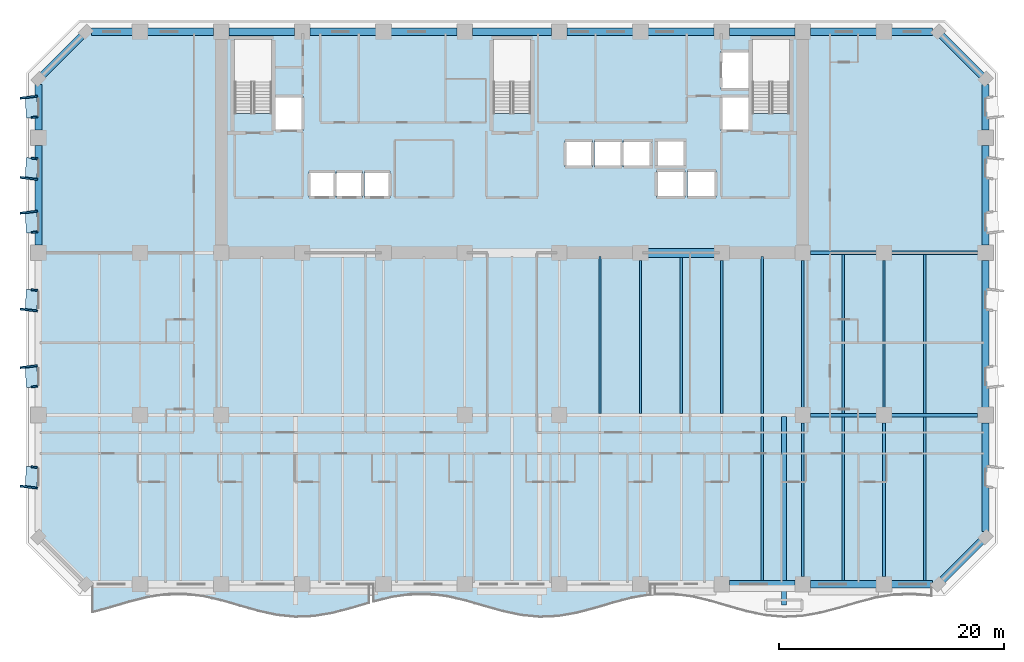
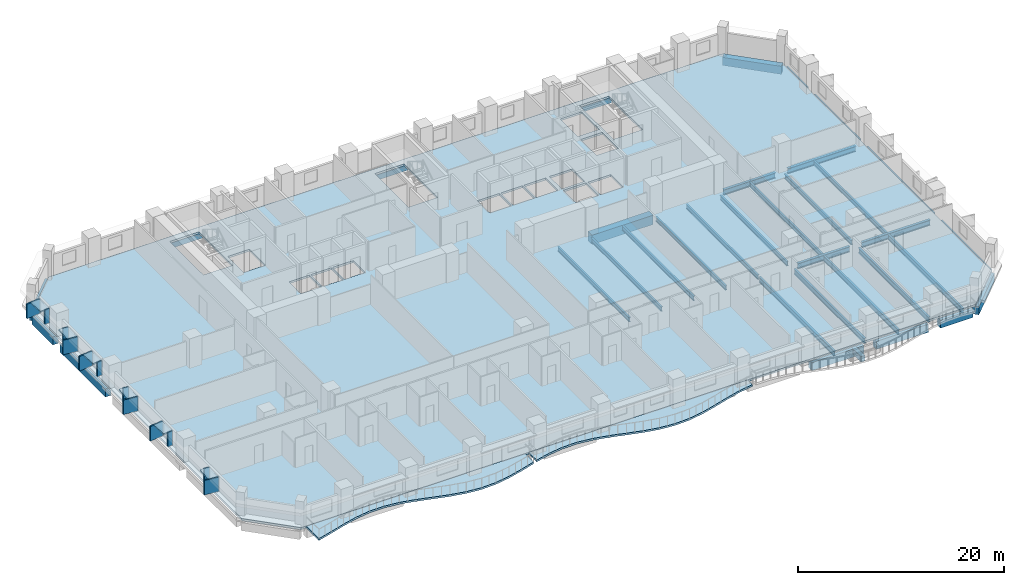
# One storey, part 2 of 15: 43 beams, 18 plates, 3 slabs.
"""IFC4 building model written with IfcOpenShell, lengths in metres."""

from ifc_helpers import new_model, si_unit, direction, frame, origin, origin_2d, place, context, subcontext, project, spatial, polyline, rectangle, i_section, outline, extrude, material, layer, layer_set, material_profile, profile_set, type_object, element, save


model = new_model("IFC4")

# Units and contexts
model_context = context("Model", 3, precision=1e-05, world=origin(), true_north=direction((0.0, 1.0)))
body_context = subcontext(model_context, "Body", "Model", "MODEL_VIEW")
ifc_project = project(units=[si_unit("LENGTHUNIT", "METRE"), si_unit("AREAUNIT", "SQUARE_METRE"), si_unit("VOLUMEUNIT", "CUBIC_METRE"), si_unit("PLANEANGLEUNIT", "RADIAN"), si_unit("MASSUNIT", "GRAM", prefix="KILO")], contexts=[model_context])

# Site, building, storey
site_placement = place(None, origin())
site = spatial("IfcSite", under=ifc_project, at=site_placement, CompositionType="ELEMENT")
building_placement = place(site_placement, origin())
building = spatial("IfcBuilding", under=site, at=building_placement, Name="Kaelvorn Grand Hotel", CompositionType="ELEMENT")
storey_placement = place(building_placement, frame((0.0, 0.0, 57.64990234375)))
storey = spatial("IfcBuildingStorey", under=building, at=storey_placement, Name="L12", CompositionType="ELEMENT", Elevation=57.64990234375)

# Beams
ifc_material_1 = material(Name="Steel S355", Category="steel")
ifc_material_profile_1 = material_profile(ifc_material_1, i_section(OverallWidth=0.300048828125, OverallDepth=0.64990234375, WebThickness=0.01611328125, FlangeThickness=0.031005859375, FilletRadius=0.027099609375, at=origin_2d()), Name="HEB 650")
ifc_profile_set_1 = profile_set([ifc_material_profile_1], Name="Steel S355")
beam_type_1 = type_object("IfcBeamType", Name="BM-G-HEB650-S355", PredefinedType="BEAM", material=ifc_profile_set_1)
beam_1_placement = place(storey_placement, frame((68.485107421875, 15.0, -0.56494140625), z_axis=(1.0, 0.0, 0.0), x_axis=(0.0, 1.0, 0.0)))
element("IfcBeam", 1, at=beam_1_placement, inside=storey, type_object=beam_type_1, Name="L12 Primary Spine Steel Girder G-15 06", PredefinedType="BEAM", context=body_context, shape_type="SweptSolid", body=[
    extrude(i_section(OverallWidth=0.300048828125, OverallDepth=0.64990234375, WebThickness=0.01611328125, FlangeThickness=0.031005859375, FilletRadius=0.027099609375, at=origin_2d()), origin(), (0.0, 0.0, 1.0), 5.829833984375),
])
beam_2_placement = place(storey_placement, frame((75.68505859375, 15.0, -0.56494140625), z_axis=(1.0, 0.0, 0.0), x_axis=(0.0, 1.0, 0.0)))
element("IfcBeam", 2, at=beam_2_placement, inside=storey, type_object=beam_type_1, Name="L12 Primary Spine Steel Girder G-15 07", PredefinedType="BEAM", context=body_context, shape_type="SweptSolid", body=[
    extrude(i_section(OverallWidth=0.300048828125, OverallDepth=0.64990234375, WebThickness=0.01611328125, FlangeThickness=0.031005859375, FilletRadius=0.027099609375, at=origin_2d()), origin(), (0.0, 0.0, 1.0), 7.6298828125),
])
beam_3_placement = place(storey_placement, frame((68.485107421875, 29.39990234375, -0.56494140625), z_axis=(1.0, 0.0, 0.0), x_axis=(0.0, 1.0, 0.0)))
element("IfcBeam", 3, at=beam_3_placement, inside=storey, type_object=beam_type_1, Name="L12 East Core Wing Steel Girder G-29E 01", PredefinedType="BEAM", context=body_context, shape_type="SweptSolid", body=[
    extrude(i_section(OverallWidth=0.300048828125, OverallDepth=0.64990234375, WebThickness=0.01611328125, FlangeThickness=0.031005859375, FilletRadius=0.027099609375, at=origin_2d()), origin(), (0.0, 0.0, 1.0), 5.829833984375),
])
beam_4_placement = place(storey_placement, frame((75.68505859375, 29.39990234375, -0.56494140625), z_axis=(1.0, 0.0, 0.0), x_axis=(0.0, 1.0, 0.0)))
element("IfcBeam", 4, at=beam_4_placement, inside=storey, type_object=beam_type_1, Name="L12 East Core Wing Steel Girder G-29E 02", PredefinedType="BEAM", context=body_context, shape_type="SweptSolid", body=[
    extrude(i_section(OverallWidth=0.300048828125, OverallDepth=0.64990234375, WebThickness=0.01611328125, FlangeThickness=0.031005859375, FilletRadius=0.027099609375, at=origin_2d()), origin(), (0.0, 0.0, 1.0), 7.6298828125),
])
ifc_material_profile_2 = material_profile(ifc_material_1, i_section(OverallWidth=0.209228515625, OverallDepth=0.533203125, WebThickness=0.010009765625, FlangeThickness=0.015625, FilletRadius=0.0126953125, at=origin_2d()), Name="UB 533x210x92")
ifc_profile_set_2 = profile_set([ifc_material_profile_2], Name="Steel S355")
beam_type_2 = type_object("IfcBeamType", Name="BM-J-UB533-S355", PredefinedType="JOIST", material=ifc_profile_set_2)
beam_5_placement = place(storey_placement, frame((49.800048828125, 15.135009765625, -0.50634765625), z_axis=(0.0, 1.0, 0.0), x_axis=(-1.0, 0.0, 0.0)))
element("IfcBeam", 5, at=beam_5_placement, inside=storey, type_object=beam_type_2, Name="L12 Composite Floor Joist JM-14", PredefinedType="JOIST", context=body_context, shape_type="SweptSolid", body=[
    extrude(i_section(OverallWidth=0.209228515625, OverallDepth=0.533203125, WebThickness=0.010009765625, FlangeThickness=0.015625, FilletRadius=0.0126953125, at=origin_2d()), origin(), (0.0, 0.0, 1.0), 13.925048828125),
])
beam_6_placement = place(storey_placement, frame((53.39990234375, 15.135009765625, -0.50634765625), z_axis=(0.0, 1.0, 0.0), x_axis=(-1.0, 0.0, 0.0)))
element("IfcBeam", 6, at=beam_6_placement, inside=storey, type_object=beam_type_2, Name="L12 Composite Floor Joist JM-15", PredefinedType="JOIST", context=body_context, shape_type="SweptSolid", body=[
    extrude(i_section(OverallWidth=0.209228515625, OverallDepth=0.533203125, WebThickness=0.010009765625, FlangeThickness=0.015625, FilletRadius=0.0126953125, at=origin_2d()), origin(), (0.0, 0.0, 1.0), 13.580078125),
])
beam_7_placement = place(storey_placement, frame((57.0, 15.135009765625, -0.50634765625), z_axis=(0.0, 1.0, 0.0), x_axis=(-1.0, 0.0, 0.0)))
element("IfcBeam", 7, at=beam_7_placement, inside=storey, type_object=beam_type_2, Name="L12 Composite Floor Joist JM-16", PredefinedType="JOIST", context=body_context, shape_type="SweptSolid", body=[
    extrude(i_section(OverallWidth=0.209228515625, OverallDepth=0.533203125, WebThickness=0.010009765625, FlangeThickness=0.015625, FilletRadius=0.0126953125, at=origin_2d()), origin(), (0.0, 0.0, 1.0), 13.925048828125),
])
beam_8_placement = place(storey_placement, frame((60.60009765625, 15.135009765625, -0.50634765625), z_axis=(0.0, 1.0, 0.0), x_axis=(-1.0, 0.0, 0.0)))
element("IfcBeam", 8, at=beam_8_placement, inside=storey, type_object=beam_type_2, Name="L12 Composite Floor Joist JM-17", PredefinedType="JOIST", context=body_context, shape_type="SweptSolid", body=[
    extrude(i_section(OverallWidth=0.209228515625, OverallDepth=0.533203125, WebThickness=0.010009765625, FlangeThickness=0.015625, FilletRadius=0.0126953125, at=origin_2d()), origin(), (0.0, 0.0, 1.0), 13.580078125),
])
beam_9_placement = place(storey_placement, frame((64.199951171875, 15.135009765625, -0.50634765625), z_axis=(0.0, 1.0, 0.0), x_axis=(-1.0, 0.0, 0.0)))
element("IfcBeam", 9, at=beam_9_placement, inside=storey, type_object=beam_type_2, Name="L12 Composite Floor Joist JM-18", PredefinedType="JOIST", context=body_context, shape_type="SweptSolid", body=[
    extrude(i_section(OverallWidth=0.209228515625, OverallDepth=0.533203125, WebThickness=0.010009765625, FlangeThickness=0.015625, FilletRadius=0.0126953125, at=origin_2d()), origin(), (0.0, 0.0, 1.0), 13.925048828125),
])
beam_10_placement = place(storey_placement, frame((67.800048828125, 15.68505859375, -0.50634765625), z_axis=(0.0, 1.0, 0.0), x_axis=(-1.0, 0.0, 0.0)))
element("IfcBeam", 10, at=beam_10_placement, inside=storey, type_object=beam_type_2, Name="L12 Composite Floor Joist JM-19", PredefinedType="JOIST", context=body_context, shape_type="SweptSolid", body=[
    extrude(i_section(OverallWidth=0.209228515625, OverallDepth=0.533203125, WebThickness=0.010009765625, FlangeThickness=0.015625, FilletRadius=0.0126953125, at=origin_2d()), origin(), (0.0, 0.0, 1.0), 13.030029296875),
])
beam_11_placement = place(storey_placement, frame((71.39990234375, 15.135009765625, -0.50634765625), z_axis=(0.0, 1.0, 0.0), x_axis=(-1.0, 0.0, 0.0)))
element("IfcBeam", 11, at=beam_11_placement, inside=storey, type_object=beam_type_2, Name="L12 Composite Floor Joist JM-20", PredefinedType="JOIST", context=body_context, shape_type="SweptSolid", body=[
    extrude(i_section(OverallWidth=0.209228515625, OverallDepth=0.533203125, WebThickness=0.010009765625, FlangeThickness=0.015625, FilletRadius=0.0126953125, at=origin_2d()), origin(), (0.0, 0.0, 1.0), 14.1298828125),
])
beam_12_placement = place(storey_placement, frame((75.0, 15.68505859375, -0.50634765625), z_axis=(0.0, 1.0, 0.0), x_axis=(-1.0, 0.0, 0.0)))
element("IfcBeam", 12, at=beam_12_placement, inside=storey, type_object=beam_type_2, Name="L12 Composite Floor Joist JM-21", PredefinedType="JOIST", context=body_context, shape_type="SweptSolid", body=[
    extrude(i_section(OverallWidth=0.209228515625, OverallDepth=0.533203125, WebThickness=0.010009765625, FlangeThickness=0.015625, FilletRadius=0.0126953125, at=origin_2d()), origin(), (0.0, 0.0, 1.0), 13.030029296875),
])
beam_13_placement = place(storey_placement, frame((78.60009765625, 15.135009765625, -0.50634765625), z_axis=(0.0, 1.0, 0.0), x_axis=(-1.0, 0.0, 0.0)))
element("IfcBeam", 13, at=beam_13_placement, inside=storey, type_object=beam_type_2, Name="L12 Composite Floor Joist JM-22", PredefinedType="JOIST", context=body_context, shape_type="SweptSolid", body=[
    extrude(i_section(OverallWidth=0.209228515625, OverallDepth=0.533203125, WebThickness=0.010009765625, FlangeThickness=0.015625, FilletRadius=0.0126953125, at=origin_2d()), origin(), (0.0, 0.0, 1.0), 14.1298828125),
])
ifc_material_profile_3 = material_profile(ifc_material_1, i_section(OverallWidth=0.22900390625, OverallDepth=0.6123046875, WebThickness=0.011962890625, FlangeThickness=0.01953125, FilletRadius=0.0126953125, at=origin_2d()), Name="UB 610x229x125")
ifc_profile_set_3 = profile_set([ifc_material_profile_3], Name="Steel S355")
beam_type_3 = type_object("IfcBeamType", Name="BM-J-UB610-S355", PredefinedType="JOIST", material=ifc_profile_set_3)
beam_14_placement = place(storey_placement, frame((64.199951171875, 0.31005859375, -0.5458984375), z_axis=(0.0, 1.0, 0.0), x_axis=(-1.0, 0.0, 0.0)))
element("IfcBeam", 14, at=beam_14_placement, inside=storey, type_object=beam_type_3, Name="L12 Composite Floor Joist JS-18", PredefinedType="JOIST", context=body_context, shape_type="SweptSolid", body=[
    extrude(i_section(OverallWidth=0.22900390625, OverallDepth=0.6123046875, WebThickness=0.011962890625, FlangeThickness=0.01953125, FilletRadius=0.0126953125, at=origin_2d()), origin(), (0.0, 0.0, 1.0), 14.554931640625),
])
beam_15_placement = place(storey_placement, frame((67.800048828125, 0.68505859375, -0.5458984375), z_axis=(0.0, 1.0, 0.0), x_axis=(-1.0, 0.0, 0.0)))
element("IfcBeam", 15, at=beam_15_placement, inside=storey, type_object=beam_type_3, Name="L12 Composite Floor Joist JS-19", PredefinedType="JOIST", context=body_context, shape_type="SweptSolid", body=[
    extrude(i_section(OverallWidth=0.22900390625, OverallDepth=0.6123046875, WebThickness=0.011962890625, FlangeThickness=0.01953125, FilletRadius=0.0126953125, at=origin_2d()), origin(), (0.0, 0.0, 1.0), 13.6298828125),
])
beam_16_placement = place(storey_placement, frame((71.39990234375, 0.31005859375, -0.5458984375), z_axis=(0.0, 1.0, 0.0), x_axis=(-1.0, 0.0, 0.0)))
element("IfcBeam", 16, at=beam_16_placement, inside=storey, type_object=beam_type_3, Name="L12 Composite Floor Joist JS-20", PredefinedType="JOIST", context=body_context, shape_type="SweptSolid", body=[
    extrude(i_section(OverallWidth=0.22900390625, OverallDepth=0.6123046875, WebThickness=0.011962890625, FlangeThickness=0.01953125, FilletRadius=0.0126953125, at=origin_2d()), origin(), (0.0, 0.0, 1.0), 14.554931640625),
])
beam_17_placement = place(storey_placement, frame((75.0, 0.68505859375, -0.5458984375), z_axis=(0.0, 1.0, 0.0), x_axis=(-1.0, 0.0, 0.0)))
element("IfcBeam", 17, at=beam_17_placement, inside=storey, type_object=beam_type_3, Name="L12 Composite Floor Joist JS-21", PredefinedType="JOIST", context=body_context, shape_type="SweptSolid", body=[
    extrude(i_section(OverallWidth=0.22900390625, OverallDepth=0.6123046875, WebThickness=0.011962890625, FlangeThickness=0.01953125, FilletRadius=0.0126953125, at=origin_2d()), origin(), (0.0, 0.0, 1.0), 13.6298828125),
])
beam_18_placement = place(storey_placement, frame((78.60009765625, 0.31005859375, -0.5458984375), z_axis=(0.0, 1.0, 0.0), x_axis=(-1.0, 0.0, 0.0)))
element("IfcBeam", 18, at=beam_18_placement, inside=storey, type_object=beam_type_3, Name="L12 Composite Floor Joist JS-22", PredefinedType="JOIST", context=body_context, shape_type="SweptSolid", body=[
    extrude(i_section(OverallWidth=0.22900390625, OverallDepth=0.6123046875, WebThickness=0.011962890625, FlangeThickness=0.01953125, FilletRadius=0.0126953125, at=origin_2d()), origin(), (0.0, 0.0, 1.0), 14.554931640625),
])
ifc_material_2 = material(Name="Concrete C60/75", Category="concrete")
ifc_material_profile_4 = material_profile(ifc_material_2, rectangle(XDim=0.800048828125, YDim=1.10009765625, at=origin_2d()), Name="RC LINTEL 800x1100")
ifc_profile_set_4 = profile_set([ifc_material_profile_4], Name="Concrete C60/75")
beam_type_4 = type_object("IfcBeamType", Name="BM-LIN-800x1100-C60", PredefinedType="LINTEL", material=ifc_profile_set_4)
beam_19_placement = place(storey_placement, frame((53.580078125, 29.39990234375, -0.789794921875), z_axis=(1.0, 0.0, 0.0), x_axis=(0.0, 1.0, 0.0)))
element("IfcBeam", 19, at=beam_19_placement, inside=storey, type_object=beam_type_4, Name="L12 Rear-Core Coupling Lintel Beam CB1-03", PredefinedType="LINTEL", context=body_context, shape_type="SweptSolid", body=[
    extrude(rectangle(XDim=0.800048828125, YDim=1.10009765625, at=origin_2d()), origin(), (0.0, 0.0, 1.0), 6.83984375),
])
ifc_material_3 = material(Name="Concrete C40/50", Category="concrete")
ifc_material_profile_5 = material_profile(ifc_material_3, rectangle(XDim=0.449951171875, YDim=0.64990234375, at=origin_2d()), Name="RC RIB 450x650")
ifc_profile_set_5 = profile_set([ifc_material_profile_5], Name="Concrete C40/50")
beam_type_5 = type_object("IfcBeamType", Name="BM-RIB-450x650-C40", PredefinedType="SPANDREL", material=ifc_profile_set_5)
beam_20_placement = place(storey_placement, frame((66.115478515625, -1.85009765625, -0.544921875), z_axis=(0.0, 1.0, 0.0), x_axis=(-1.0, 0.0, 0.0)))
element("IfcBeam", 20, at=beam_20_placement, inside=storey, type_object=beam_type_5, Name="L12 Cantilevered Balcony Back-Span Rib RB1-3", PredefinedType="SPANDREL", context=body_context, shape_type="SweptSolid", body=[
    extrude(rectangle(XDim=0.449951171875, YDim=0.64990234375, at=origin_2d()), origin(), (0.0, 0.0, 1.0), 16.715087890625),
])
ifc_material_profile_6 = material_profile(ifc_material_2, rectangle(XDim=0.64990234375, YDim=0.949951171875, at=origin_2d()), Name="RC SPANDREL 650x950")
ifc_profile_set_6 = profile_set([ifc_material_profile_6], Name="Concrete C60/75")
beam_type_6 = type_object("IfcBeamType", Name="BM-SP-650x950-C60", PredefinedType="SPANDREL", material=ifc_profile_set_6)
beam_21_placement = place(storey_placement, frame((61.284912109375, 0.0, -0.71484375), z_axis=(1.0, 0.0, 0.0), x_axis=(0.0, 1.0, 0.0)))
element("IfcBeam", 21, at=beam_21_placement, inside=storey, type_object=beam_type_6, Name="L12 South Perimeter Spandrel 09", PredefinedType="SPANDREL", context=body_context, shape_type="SweptSolid", body=[
    extrude(rectangle(XDim=0.64990234375, YDim=0.949951171875, at=origin_2d()), origin(), (0.0, 0.0, 1.0), 5.830078125),
])
beam_22_placement = place(storey_placement, frame((68.485107421875, 0.0, -0.71484375), z_axis=(1.0, 0.0, 0.0), x_axis=(0.0, 1.0, 0.0)))
element("IfcBeam", 22, at=beam_22_placement, inside=storey, type_object=beam_type_6, Name="L12 South Perimeter Spandrel 10", PredefinedType="SPANDREL", context=body_context, shape_type="SweptSolid", body=[
    extrude(rectangle(XDim=0.64990234375, YDim=0.949951171875, at=origin_2d()), origin(), (0.0, 0.0, 1.0), 5.829833984375),
])
for number, where, z_axis, x_axis, name in (
    (23, (75.68505859375, 0.0, -0.71484375), (1.0, 0.0, 0.0), (0.0, 1.0, 0.0), "L12 South Perimeter Spandrel 11"),
    (24, (4.68505859375, 49.0, -0.71484375), (1.0, 0.0, 0.0), (0.0, 1.0, 0.0), "L12 North Perimeter Spandrel 01"),
):
    element("IfcBeam", number, at=place(storey_placement, frame(where, z_axis=z_axis, x_axis=x_axis)), inside=storey, type_object=beam_type_6, Name=name, PredefinedType="SPANDREL", context=body_context, shape_type="SweptSolid", body=[
        extrude(rectangle(XDim=0.64990234375, YDim=0.949951171875, at=origin_2d()), origin(), (0.0, 0.0, 1.0), 3.6298828125),
    ])
beam_23_placement = place(storey_placement, frame((9.68505859375, 49.0, -0.71484375), z_axis=(1.0, 0.0, 0.0), x_axis=(0.0, 1.0, 0.0)))
element("IfcBeam", 25, at=beam_23_placement, inside=storey, type_object=beam_type_6, Name="L12 North Perimeter Spandrel 02", PredefinedType="SPANDREL", context=body_context, shape_type="SweptSolid", body=[
    extrude(rectangle(XDim=0.64990234375, YDim=0.949951171875, at=origin_2d()), origin(), (0.0, 0.0, 1.0), 5.829833984375),
])
for number, where, z_axis, x_axis, name in (
    (26, (16.885009765625, 49.0, -0.71484375), (1.0, 0.0, 0.0), (0.0, 1.0, 0.0), "L12 North Perimeter Spandrel 03"),
    (27, (24.0849609375, 49.0, -0.71484375), (1.0, 0.0, 0.0), (0.0, 1.0, 0.0), "L12 North Perimeter Spandrel 04"),
    (28, (31.284912109375, 49.0, -0.71484375), (1.0, 0.0, 0.0), (0.0, 1.0, 0.0), "L12 North Perimeter Spandrel 05"),
):
    element("IfcBeam", number, at=place(storey_placement, frame(where, z_axis=z_axis, x_axis=x_axis)), inside=storey, type_object=beam_type_6, Name=name, PredefinedType="SPANDREL", context=body_context, shape_type="SweptSolid", body=[
        extrude(rectangle(XDim=0.64990234375, YDim=0.949951171875, at=origin_2d()), origin(), (0.0, 0.0, 1.0), 5.830078125),
    ])
beam_24_placement = place(storey_placement, frame((38.485107421875, 49.0, -0.71484375), z_axis=(1.0, 0.0, 0.0), x_axis=(0.0, 1.0, 0.0)))
element("IfcBeam", 29, at=beam_24_placement, inside=storey, type_object=beam_type_6, Name="L12 North Perimeter Spandrel 06", PredefinedType="SPANDREL", context=body_context, shape_type="SweptSolid", body=[
    extrude(rectangle(XDim=0.64990234375, YDim=0.949951171875, at=origin_2d()), origin(), (0.0, 0.0, 1.0), 7.02978515625),
])
for number, where, z_axis, x_axis, name in (
    (30, (46.885009765625, 49.0, -0.71484375), (1.0, 0.0, 0.0), (0.0, 1.0, 0.0), "L12 North Perimeter Spandrel 07"),
    (31, (54.0849609375, 49.0, -0.71484375), (1.0, 0.0, 0.0), (0.0, 1.0, 0.0), "L12 North Perimeter Spandrel 08"),
    (32, (61.284912109375, 49.0, -0.71484375), (1.0, 0.0, 0.0), (0.0, 1.0, 0.0), "L12 North Perimeter Spandrel 09"),
):
    element("IfcBeam", number, at=place(storey_placement, frame(where, z_axis=z_axis, x_axis=x_axis)), inside=storey, type_object=beam_type_6, Name=name, PredefinedType="SPANDREL", context=body_context, shape_type="SweptSolid", body=[
        extrude(rectangle(XDim=0.64990234375, YDim=0.949951171875, at=origin_2d()), origin(), (0.0, 0.0, 1.0), 5.830078125),
    ])
beam_25_placement = place(storey_placement, frame((68.485107421875, 49.0, -0.71484375), z_axis=(1.0, 0.0, 0.0), x_axis=(0.0, 1.0, 0.0)))
element("IfcBeam", 33, at=beam_25_placement, inside=storey, type_object=beam_type_6, Name="L12 North Perimeter Spandrel 10", PredefinedType="SPANDREL", context=body_context, shape_type="SweptSolid", body=[
    extrude(rectangle(XDim=0.64990234375, YDim=0.949951171875, at=origin_2d()), origin(), (0.0, 0.0, 1.0), 5.829833984375),
])
beam_26_placement = place(storey_placement, frame((75.68505859375, 49.0, -0.71484375), z_axis=(1.0, 0.0, 0.0), x_axis=(0.0, 1.0, 0.0)))
element("IfcBeam", 34, at=beam_26_placement, inside=storey, type_object=beam_type_6, Name="L12 North Perimeter Spandrel 11", PredefinedType="SPANDREL", context=body_context, shape_type="SweptSolid", body=[
    extrude(rectangle(XDim=0.64990234375, YDim=0.949951171875, at=origin_2d()), origin(), (0.0, 0.0, 1.0), 3.6298828125),
])
beam_27_placement = place(storey_placement, frame((0.0, 30.0849609375, -0.71484375), z_axis=(0.0, 1.0, 0.0), x_axis=(-1.0, 0.0, 0.0)))
element("IfcBeam", 35, at=beam_27_placement, inside=storey, type_object=beam_type_6, Name="L12 West Perimeter Spandrel 03", PredefinedType="SPANDREL", context=body_context, shape_type="SweptSolid", body=[
    extrude(rectangle(XDim=0.64990234375, YDim=0.949951171875, at=origin_2d()), origin(), (0.0, 0.0, 1.0), 8.830078125),
])
beam_28_placement = place(storey_placement, frame((0.0, 40.284912109375, -0.71484375), z_axis=(0.0, 1.0, 0.0), x_axis=(-1.0, 0.0, 0.0)))
element("IfcBeam", 36, at=beam_28_placement, inside=storey, type_object=beam_type_6, Name="L12 West Perimeter Spandrel 04", PredefinedType="SPANDREL", context=body_context, shape_type="SweptSolid", body=[
    extrude(rectangle(XDim=0.64990234375, YDim=0.949951171875, at=origin_2d()), origin(), (0.0, 0.0, 1.0), 4.030029296875),
])
beam_29_placement = place(storey_placement, frame((84.0, 4.68505859375, -0.71484375), z_axis=(0.0, 1.0, 0.0), x_axis=(-1.0, 0.0, 0.0)))
element("IfcBeam", 37, at=beam_29_placement, inside=storey, type_object=beam_type_6, Name="L12 East Perimeter Spandrel 01", PredefinedType="SPANDREL", context=body_context, shape_type="SweptSolid", body=[
    extrude(rectangle(XDim=0.64990234375, YDim=0.949951171875, at=origin_2d()), origin(), (0.0, 0.0, 1.0), 9.6298828125),
])
beam_30_placement = place(storey_placement, frame((84.0, 15.68505859375, -0.71484375), z_axis=(0.0, 1.0, 0.0), x_axis=(-1.0, 0.0, 0.0)))
element("IfcBeam", 38, at=beam_30_placement, inside=storey, type_object=beam_type_6, Name="L12 East Perimeter Spandrel 02", PredefinedType="SPANDREL", context=body_context, shape_type="SweptSolid", body=[
    extrude(rectangle(XDim=0.64990234375, YDim=0.949951171875, at=origin_2d()), origin(), (0.0, 0.0, 1.0), 13.030029296875),
])
beam_31_placement = place(storey_placement, frame((84.0, 30.0849609375, -0.71484375), z_axis=(0.0, 1.0, 0.0), x_axis=(-1.0, 0.0, 0.0)))
element("IfcBeam", 39, at=beam_31_placement, inside=storey, type_object=beam_type_6, Name="L12 East Perimeter Spandrel 03", PredefinedType="SPANDREL", context=body_context, shape_type="SweptSolid", body=[
    extrude(rectangle(XDim=0.64990234375, YDim=0.949951171875, at=origin_2d()), origin(), (0.0, 0.0, 1.0), 8.830078125),
])
beam_32_placement = place(storey_placement, frame((84.0, 40.284912109375, -0.71484375), z_axis=(0.0, 1.0, 0.0), x_axis=(-1.0, 0.0, 0.0)))
element("IfcBeam", 40, at=beam_32_placement, inside=storey, type_object=beam_type_6, Name="L12 East Perimeter Spandrel 04", PredefinedType="SPANDREL", context=body_context, shape_type="SweptSolid", body=[
    extrude(rectangle(XDim=0.64990234375, YDim=0.949951171875, at=origin_2d()), origin(), (0.0, 0.0, 1.0), 4.030029296875),
])
for number, where, z_axis, x_axis, name in (
    (41, (79.800048828125, 0.0, -0.71484375), (0.707106781187, 0.707106781187, 0.0), (-0.707106781187, 0.707106781187, 0.0), "L12 Chamfer Spandrel Beam 1"),
    (42, (84.0, 44.800048828125, -0.71484375), (-0.707106781187, 0.707106781187, 0.0), (-0.707106781187, -0.707106781187, 0.0), "L12 Chamfer Spandrel Beam 2"),
    (43, (4.199951171875, 49.0, -0.71484375), (-0.707106781187, -0.707106781187, 0.0), (0.707106781187, -0.707106781187, 0.0), "L12 Chamfer Spandrel Beam 3"),
):
    element("IfcBeam", number, at=place(storey_placement, frame(where, z_axis=z_axis, x_axis=x_axis)), inside=storey, type_object=beam_type_6, Name=name, PredefinedType="SPANDREL", context=body_context, shape_type="SweptSolid", body=[
        extrude(rectangle(XDim=0.64990234375, YDim=0.949951171875, at=origin_2d()), origin(), (0.0, 0.0, 1.0), 5.939697265625),
    ])

# Plates
ifc_material_4 = material(Name="Precast concrete C45/55", Category="concrete")
ifc_layer_1 = layer(ifc_material_4, 0.159912109375)
ifc_layer_set_1 = layer_set([ifc_layer_1], Name="Precast concrete C45/55")
plate_type_1 = type_object("IfcPlateType", Name="PL-FRAME-DEEP-1550", PredefinedType="USERDEFINED", material=ifc_layer_set_1)
for number, where, z_axis, x_axis, name in (
    (44, (-0.864990234375, 8.610107421875, 0.68994140625), (0.0, 0.0, 1.0), (0.121869343405, 0.992546151641, 0.0), "L12 Tilted Precast Window Frame Fin L-W01"),
    (45, (-0.864990234375, 19.300048828125, 0.68994140625), (0.0, 0.0, 1.0), (-0.121869343405, 0.992546151641, 0.0), "L12 Tilted Precast Window Frame Fin R-W02"),
    (46, (-0.864990234375, 24.320068359375, 0.68994140625), (0.0, 0.0, 1.0), (0.121869343405, 0.992546151641, 0.0), "L12 Tilted Precast Window Frame Fin L-W03"),
    (47, (-0.864990234375, 33.0048828125, 0.68994140625), (0.0, 0.0, 1.0), (-0.121869343405, 0.992546151641, 0.0), "L12 Tilted Precast Window Frame Fin R-W04"),
    (48, (-0.864990234375, 35.9951171875, 0.68994140625), (0.0, 0.0, 1.0), (0.121869343405, 0.992546151641, 0.0), "L12 Tilted Precast Window Frame Fin L-W05"),
    (49, (-0.864990234375, 43.205078125, 0.68994140625), (0.0, 0.0, 1.0), (-0.121869343405, 0.992546151641, 0.0), "L12 Tilted Precast Window Frame Fin R-W06"),
):
    element("IfcPlate", number, at=place(storey_placement, frame(where, z_axis=z_axis, x_axis=x_axis)), inside=storey, type_object=plate_type_1, Name=name, ObjectType="FLANGE_PLATE", PredefinedType="USERDEFINED", context=body_context, shape_type="SweptSolid", body=[
        extrude(rectangle(XDim=0.159912109375, YDim=1.550048828125, at=origin_2d()), origin(), (0.0, 0.0, 1.0), 1.719970703125),
    ])
ifc_layer_2 = layer(ifc_material_4, 0.159912109375)
ifc_layer_set_2 = layer_set([ifc_layer_2], Name="Precast concrete C45/55")
plate_type_2 = type_object("IfcPlateType", Name="PL-FRAME-HEAD-1050", PredefinedType="USERDEFINED", material=ifc_layer_set_2)
for number, where, z_axis, x_axis, name in (
    (50, (-0.614990234375, 9.5, 2.25), (0.0, 0.0, 1.0), (0.054950179912, 0.998489097451, 0.0), "L12 Precast Window Frame Head Hood H-W01"),
    (51, (-0.614990234375, 18.409912109375, 2.25), (0.0, 0.0, 1.0), (-0.054950179912, 0.998489097451, 0.0), "L12 Precast Window Frame Head Hood H-W02"),
    (52, (-0.614990234375, 25.2099609375, 2.25), (0.0, 0.0, 1.0), (0.054950179912, 0.998489097451, 0.0), "L12 Precast Window Frame Head Hood H-W03"),
    (53, (-0.614990234375, 32.114990234375, 2.25), (0.0, 0.0, 1.0), (-0.054950179912, 0.998489097451, 0.0), "L12 Precast Window Frame Head Hood H-W04"),
    (54, (-0.614990234375, 36.885009765625, 2.25), (0.0, 0.0, 1.0), (0.054950179912, 0.998489097451, 0.0), "L12 Precast Window Frame Head Hood H-W05"),
    (55, (-0.614990234375, 42.31494140625, 2.25), (0.0, 0.0, 1.0), (-0.054950179912, 0.998489097451, 0.0), "L12 Precast Window Frame Head Hood H-W06"),
):
    element("IfcPlate", number, at=place(storey_placement, frame(where, z_axis=z_axis, x_axis=x_axis)), inside=storey, type_object=plate_type_2, Name=name, ObjectType="FLANGE_PLATE", PredefinedType="USERDEFINED", context=body_context, shape_type="SweptSolid", body=[
        extrude(rectangle(XDim=1.860107421875, YDim=1.050048828125, at=origin_2d()), origin(), (0.0, 0.0, 1.0), 0.159912109375),
    ])
ifc_layer_3 = layer(ifc_material_4, 0.159912109375)
ifc_layer_set_3 = layer_set([ifc_layer_3], Name="Precast concrete C45/55")
plate_type_3 = type_object("IfcPlateType", Name="PL-FRAME-SHAL-550", PredefinedType="USERDEFINED", material=ifc_layer_set_3)
for number, where, z_axis, x_axis, name in (
    (56, (-0.364990234375, 10.389892578125, 0.68994140625), (0.0, 0.0, 1.0), (0.121869343405, 0.992546151641, 0.0), "L12 Tilted Precast Window Frame Fin R-W01"),
    (57, (-0.364990234375, 17.52001953125, 0.68994140625), (0.0, 0.0, 1.0), (-0.121869343405, 0.992546151641, 0.0), "L12 Tilted Precast Window Frame Fin L-W02"),
    (58, (-0.364990234375, 26.10009765625, 0.68994140625), (0.0, 0.0, 1.0), (0.121869343405, 0.992546151641, 0.0), "L12 Tilted Precast Window Frame Fin R-W03"),
    (59, (-0.364990234375, 31.22509765625, 0.68994140625), (0.0, 0.0, 1.0), (-0.121869343405, 0.992546151641, 0.0), "L12 Tilted Precast Window Frame Fin L-W04"),
    (60, (-0.364990234375, 37.77490234375, 0.68994140625), (0.0, 0.0, 1.0), (0.121869343405, 0.992546151641, 0.0), "L12 Tilted Precast Window Frame Fin R-W05"),
    (61, (-0.364990234375, 41.425048828125, 0.68994140625), (0.0, 0.0, 1.0), (-0.121869343405, 0.992546151641, 0.0), "L12 Tilted Precast Window Frame Fin L-W06"),
):
    element("IfcPlate", number, at=place(storey_placement, frame(where, z_axis=z_axis, x_axis=x_axis)), inside=storey, type_object=plate_type_3, Name=name, ObjectType="FLANGE_PLATE", PredefinedType="USERDEFINED", context=body_context, shape_type="SweptSolid", body=[
        extrude(rectangle(XDim=0.159912109375, YDim=0.550048828125, at=origin_2d()), origin(), (0.0, 0.0, 1.0), 1.719970703125),
    ])

# Slabs
ifc_layer_4 = layer(ifc_material_3, 0.219970703125)
ifc_layer_set_4 = layer_set([ifc_layer_4], Name="Concrete C40/50")
slab_type_1 = type_object("IfcSlabType", Name="SLB-BALC-220-C40", PredefinedType="FLOOR", material=ifc_layer_set_4)
slab_1_placement = place(storey_placement, frame((0.0, 0.0, -0.219970703125)))
element("IfcSlab", 62, at=slab_1_placement, inside=storey, type_object=slab_type_1, Name="L12 Scalloped Wave Balcony Slab 1", PredefinedType="FLOOR", context=body_context, shape_type="SweptSolid", body=[
    extrude(outline(polyline([(4.800048828125, -2.4775390625), (6.435546875, -2.03076171875), (8.071044921875, -1.549560546875), (9.706787109375, -1.140380859375), (11.34228515625, -0.89453125), (12.977783203125, -0.866455078125), (14.61328125, -1.0625), (16.248779296875, -1.438720703125), (17.884521484375, -1.912109375), (19.52001953125, -2.377197265625), (21.155517578125, -2.730712890625), (22.791015625, -2.89404296875), (24.4267578125, -2.831298828125), (26.062255859375, -2.555908203125), (27.69775390625, -2.12939453125), (29.333251953125, -1.646240234375), (29.333251953125, 0.0), (4.800048828125, 0.0), (4.800048828125, -2.4775390625)])), origin(), (0.0, 0.0, 1.0), 0.219970703125),
])
slab_2_placement = place(storey_placement, frame((0.0, 0.0, -0.219970703125)))
element("IfcSlab", 63, at=slab_2_placement, inside=storey, type_object=slab_type_1, Name="L12 Scalloped Wave Balcony Slab 2", PredefinedType="FLOOR", context=body_context, shape_type="SweptSolid", body=[
    extrude(outline(polyline([(29.7333984375, -1.531982421875), (31.368896484375, -1.127685546875), (33.00439453125, -0.889404296875), (34.639892578125, -0.869873046875), (36.275634765625, -1.073974609375), (37.9111328125, -1.45556640625), (39.546630859375, -1.9306640625), (41.18212890625, -2.393310546875), (42.81787109375, -2.74072265625), (44.453369140625, -2.89599609375), (46.0888671875, -2.824462890625), (47.724365234375, -2.5419921875), (49.360107421875, -2.111328125), (50.99560546875, -1.62841796875), (52.631103515625, -1.199951171875), (54.2666015625, -0.921630859375), (54.2666015625, 0.0), (29.7333984375, 0.0), (29.7333984375, -1.531982421875)])), origin(), (0.0, 0.0, 1.0), 0.219970703125),
])
ifc_layer_5 = layer(ifc_material_3, 0.239990234375)
ifc_layer_set_5 = layer_set([ifc_layer_5], Name="Concrete C40/50")
slab_type_2 = type_object("IfcSlabType", Name="SLB-FLR-240-C40", PredefinedType="FLOOR", material=ifc_layer_set_5)
slab_3_placement = place(storey_placement, frame((0.0, 0.0, -0.239990234375)))
element("IfcSlab", 64, at=slab_3_placement, inside=storey, type_object=slab_type_2, Name="L12 Indoor Suspended Floor Slab", PredefinedType="FLOOR", context=body_context, shape_type="SweptSolid", body=[
    extrude(outline(polyline([(4.199951171875, 0.0), (79.800048828125, 0.0), (84.0, 4.199951171875), (84.0, 44.800048828125), (79.800048828125, 49.0), (4.199951171875, 49.0), (0.0, 44.800048828125), (0.0, 4.199951171875), (4.199951171875, 0.0)]), holes=[polyline([(17.39990234375, 41.760009765625), (17.39990234375, 48.300048828125), (20.679931640625, 48.300048828125), (20.679931640625, 41.760009765625), (17.39990234375, 41.760009765625)]), polyline([(40.360107421875, 41.760009765625), (40.360107421875, 48.300048828125), (43.639892578125, 48.300048828125), (43.639892578125, 41.760009765625), (40.360107421875, 41.760009765625)]), polyline([(63.320068359375, 41.760009765625), (63.320068359375, 48.300048828125), (66.60009765625, 48.300048828125), (66.60009765625, 41.760009765625), (63.320068359375, 41.760009765625)]), polyline([(24.0, 34.300048828125), (24.0, 36.60009765625), (26.300048828125, 36.60009765625), (26.300048828125, 34.300048828125), (24.0, 34.300048828125)]), polyline([(26.449951171875, 34.300048828125), (26.449951171875, 36.60009765625), (28.75, 36.60009765625), (28.75, 34.300048828125), (26.449951171875, 34.300048828125)]), polyline([(28.89990234375, 34.300048828125), (28.89990234375, 36.60009765625), (31.199951171875, 36.60009765625), (31.199951171875, 34.300048828125), (28.89990234375, 34.300048828125)]), polyline([(46.699951171875, 37.0), (46.699951171875, 39.35009765625), (49.14990234375, 39.35009765625), (49.14990234375, 37.0), (46.699951171875, 37.0)]), polyline([(49.300048828125, 37.0), (49.300048828125, 39.35009765625), (51.75, 39.35009765625), (51.75, 37.0), (49.300048828125, 37.0)]), polyline([(51.89990234375, 37.0), (51.89990234375, 39.35009765625), (54.35009765625, 39.35009765625), (54.35009765625, 37.0), (51.89990234375, 37.0)]), polyline([(54.800048828125, 34.300048828125), (54.800048828125, 36.699951171875), (57.35009765625, 36.699951171875), (57.35009765625, 34.300048828125), (54.800048828125, 34.300048828125)]), polyline([(57.550048828125, 34.300048828125), (57.550048828125, 36.699951171875), (60.10009765625, 36.699951171875), (60.10009765625, 34.300048828125), (57.550048828125, 34.300048828125)]), polyline([(54.800048828125, 37.0), (54.800048828125, 39.39990234375), (57.35009765625, 39.39990234375), (57.35009765625, 37.0), (54.800048828125, 37.0)]), polyline([(21.0, 40.199951171875), (21.0, 43.300048828125), (23.449951171875, 43.300048828125), (23.449951171875, 40.199951171875), (21.0, 40.199951171875)]), polyline([(60.550048828125, 40.199951171875), (60.550048828125, 43.300048828125), (63.0, 43.300048828125), (63.0, 40.199951171875), (60.550048828125, 40.199951171875)]), polyline([(60.550048828125, 43.89990234375), (60.550048828125, 47.300048828125), (63.0, 47.300048828125), (63.0, 43.89990234375), (60.550048828125, 43.89990234375)])]), origin(), (0.0, 0.0, 1.0), 0.239990234375),
])

save(model, "model.ifc")
